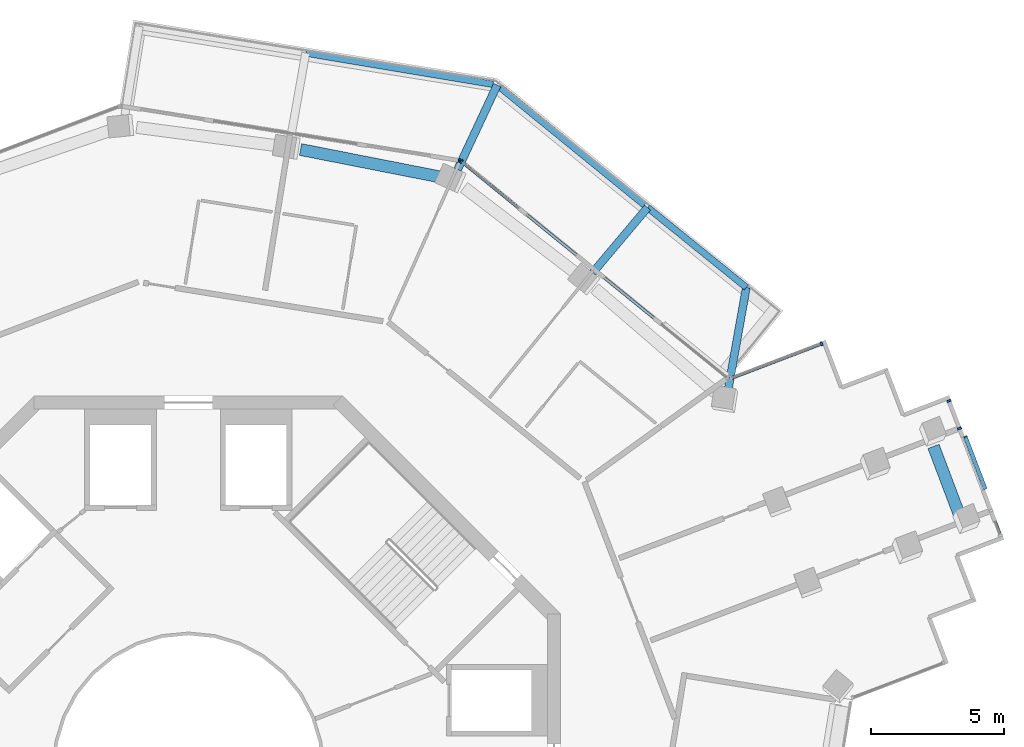
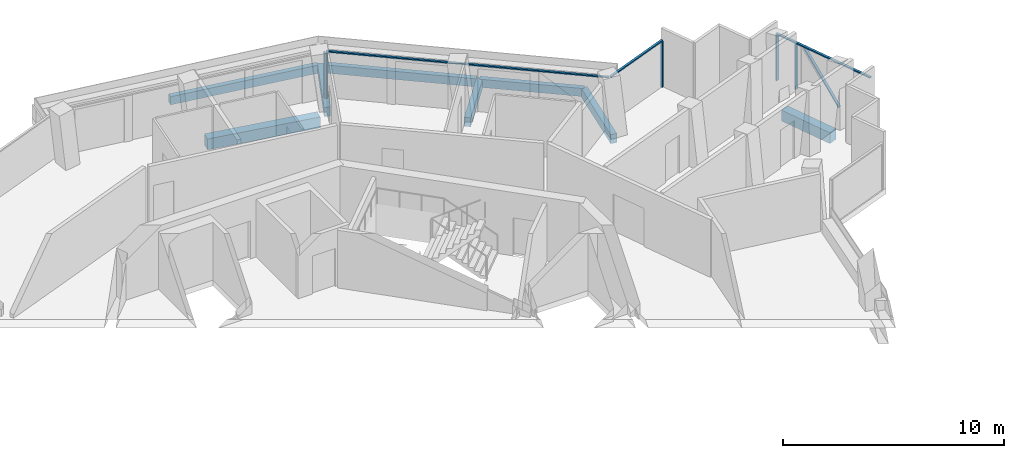
# One storey, part 9 of 23: 9 members, 8 beams, 4 elements without a shape of their own.
"""IFC4 building model written with IfcOpenShell, lengths in metres."""

from ifc_helpers import new_model, si_unit, direction, frame, origin, origin_2d, place, context, subcontext, project, spatial, rectangle, extrude, material, layer, layer_set, material_profile, profile_set, type_object, element, aggregate, save


model = new_model("IFC4")

# Units and contexts
model_context = context("Model", 3, precision=1e-05, world=origin(), true_north=direction((0.0, 1.0)))
body_context = subcontext(model_context, "Body", "Model", "MODEL_VIEW")
ifc_project = project(units=[si_unit("LENGTHUNIT", "METRE"), si_unit("AREAUNIT", "SQUARE_METRE"), si_unit("VOLUMEUNIT", "CUBIC_METRE"), si_unit("PLANEANGLEUNIT", "RADIAN"), si_unit("MASSUNIT", "GRAM", prefix="KILO")], contexts=[model_context])

# Site, building, storey
site_placement = place(None, origin())
site = spatial("IfcSite", under=ifc_project, at=site_placement, CompositionType="ELEMENT")
building_placement = place(site_placement, origin())
building = spatial("IfcBuilding", under=site, at=building_placement, Name="Verdalira Terraces Hotel", CompositionType="ELEMENT")
storey_placement = place(building_placement, frame((0.0, 0.0, 241.0)))
storey = spatial("IfcBuildingStorey", under=building, at=storey_placement, Name="L59", CompositionType="ELEMENT", Elevation=241.0)

# Beams
ifc_material_1 = material(Name="Concrete C40", Category="concrete")
ifc_material_profile_1 = material_profile(ifc_material_1, rectangle(XDim=0.300049, YDim=0.5, at=origin_2d()), Name="RC 300X500")
ifc_profile_set_1 = profile_set([ifc_material_profile_1], Name="Concrete C40")
beam_type_1 = type_object("IfcBeamType", Name="Balcony cantilever beam RC 300X500 C40", PredefinedType="BEAM", material=ifc_profile_set_1)
beam_1_placement = place(storey_placement, frame((20.296143, 14.193604, -0.560059), z_axis=(0.17498407, 0.984571265, 0.0), x_axis=(-0.984571265, 0.17498407, 0.0)))
element("IfcBeam", 1, at=beam_1_placement, inside=storey, type_object=beam_type_1, Name="Balcony cantilever beam R39-1", PredefinedType="BEAM", context=body_context, shape_type="SweptSolid", body=[
    extrude(rectangle(XDim=0.300049, YDim=0.5, at=origin_2d()), origin(), (0.0, 0.0, 1.0), 3.949951),
])
beam_2_placement = place(storey_placement, frame((15.21167, 18.638428, -0.560059), z_axis=(0.643905535, 0.765105001, 0.0), x_axis=(-0.765105001, 0.643905535, 0.0)))
element("IfcBeam", 2, at=beam_2_placement, inside=storey, type_object=beam_type_1, Name="Balcony cantilever beam R39-2", PredefinedType="BEAM", context=body_context, shape_type="SweptSolid", body=[
    extrude(rectangle(XDim=0.300049, YDim=0.5, at=origin_2d()), origin(), (0.0, 0.0, 1.0), 3.200928),
])
beam_3_placement = place(storey_placement, frame((10.126709, 22.512695, -0.560059), z_axis=(0.423885539, 0.905715766, 0.0), x_axis=(-0.905715766, 0.423885539, 0.0)))
element("IfcBeam", 3, at=beam_3_placement, inside=storey, type_object=beam_type_1, Name="Balcony cantilever beam R39-3", PredefinedType="BEAM", context=body_context, shape_type="SweptSolid", body=[
    extrude(rectangle(XDim=0.300049, YDim=0.5, at=origin_2d()), origin(), (0.0, 0.0, 1.0), 3.513916),
])
ifc_material_2 = material(Name="Concrete C40", Category="concrete")
ifc_material_profile_2 = material_profile(ifc_material_2, rectangle(XDim=0.25, YDim=0.449951, at=origin_2d()), Name="RC 250X450")
ifc_profile_set_2 = profile_set([ifc_material_profile_2], Name="Concrete C40")
beam_type_2 = type_object("IfcBeamType", Name="Balcony edge beam RC 250X450 C40", PredefinedType="BEAM", material=ifc_profile_set_2)
beam_4_placement = place(storey_placement, frame((20.987305, 18.08252, -0.534912), z_axis=(-0.777467347, 0.628923306, 0.0), x_axis=(-0.628923306, -0.777467347, 0.0)))
element("IfcBeam", 4, at=beam_4_placement, inside=storey, type_object=beam_type_2, Name="Balcony edge beam R39-1", PredefinedType="BEAM", context=body_context, shape_type="SweptSolid", body=[
    extrude(rectangle(XDim=0.25, YDim=0.449951, at=origin_2d()), origin(), (0.0, 0.0, 1.0), 4.777832),
])
beam_5_placement = place(storey_placement, frame((17.15625, 21.182373, -0.534912), z_axis=(-0.775315419, 0.631574224, 0.0), x_axis=(-0.631574224, -0.775315419, 0.0)))
element("IfcBeam", 5, at=beam_5_placement, inside=storey, type_object=beam_type_2, Name="Balcony edge beam R39-2", PredefinedType="BEAM", context=body_context, shape_type="SweptSolid", body=[
    extrude(rectangle(XDim=0.25, YDim=0.449951, at=origin_2d()), origin(), (0.0, 0.0, 1.0), 6.990967),
])
beam_6_placement = place(storey_placement, frame((11.462646, 25.720947, -0.534912), z_axis=(-0.986323654, 0.164820054, 0.0), x_axis=(-0.164820054, -0.986323654, 0.0)))
element("IfcBeam", 6, at=beam_6_placement, inside=storey, type_object=beam_type_2, Name="Balcony edge beam R39-3", PredefinedType="BEAM", context=body_context, shape_type="SweptSolid", body=[
    extrude(rectangle(XDim=0.25, YDim=0.449951, at=origin_2d()), origin(), (0.0, 0.0, 1.0), 7.145508),
])

# Curtain wall, member
ifc_material_3 = material(Name="Clear glass", Category="glass")
ifc_layer_1 = layer(ifc_material_3, 0.14990234375)
ifc_layer_set_1 = layer_set([ifc_layer_1], Name="CW1 curtain wall")
curtain_wall_type_1 = type_object("IfcCurtainWallType", Name="CW1 curtain wall", PredefinedType="NOTDEFINED", material=ifc_layer_set_1)
curtain_wall_1_placement = place(storey_placement, origin())
curtain_wall_1 = element("IfcCurtainWall", 7, at=curtain_wall_1_placement, inside=storey, type_object=curtain_wall_type_1, Name="CW1 curtain wall L59 edge 39", PredefinedType="NOTDEFINED")
ifc_material_4 = material(Name="Terracotta frame", Category="masonry")
ifc_material_profile_3 = material_profile(ifc_material_4, rectangle(XDim=0.060059, YDim=0.149902, at=origin_2d()), Name="MU 60x150")
ifc_profile_set_3 = profile_set([ifc_material_profile_3], Name="Terracotta frame")
member_type_1 = type_object("IfcMemberType", Name="CW1 mullion 60x150", PredefinedType="MULLION", material=ifc_profile_set_3)
member_1_placement = place(storey_placement, frame((10.27002, 22.818848, 0.0), z_axis=(0.0, 0.0, 1.0), x_axis=(-0.775826212, 0.63094666, 0.0)))
member_1 = element("IfcMember", 8, at=member_1_placement, type_object=member_type_1, Name="CW1 mullion", PredefinedType="MULLION", context=body_context, shape_type="SweptSolid", body=[
    extrude(rectangle(XDim=0.060059, YDim=0.149902, at=origin_2d()), origin(), (0.0, 0.0, 1.0), 2.524902),
])

curtain_wall_2_placement = place(storey_placement, origin())
curtain_wall_2 = element("IfcCurtainWall", 9, at=curtain_wall_2_placement, inside=storey, type_object=curtain_wall_type_1, Name="CW1 curtain wall L59 edge 40", PredefinedType="NOTDEFINED")
member_2_placement = place(storey_placement, frame((10.181641, 22.858398, 0.0), z_axis=(0.0, 0.0, 1.0), x_axis=(-0.987358539, 0.15850273, 0.0)))
member_2 = element("IfcMember", 10, at=member_2_placement, type_object=member_type_1, Name="CW1 mullion", PredefinedType="MULLION", context=body_context, shape_type="SweptSolid", body=[
    extrude(rectangle(XDim=0.060059, YDim=0.149902, at=origin_2d()), origin(), (0.0, 0.0, 1.0), 2.524902),
])
aggregate(curtain_wall_2, [member_2])

# Member
ifc_material_5 = material(Name="Terracotta frame", Category="masonry")
ifc_material_profile_4 = material_profile(ifc_material_5, rectangle(XDim=0.110107, YDim=0.064941, at=origin_2d()), Name="TR 65x110")
ifc_profile_set_4 = profile_set([ifc_material_profile_4], Name="Terracotta frame")
member_type_2 = type_object("IfcMemberType", Name="CW1 transom 65x110", PredefinedType="USERDEFINED", material=ifc_profile_set_4)
member_3_placement = place(storey_placement, frame((20.30127, 14.660889, 2.557617), z_axis=(-0.775828113, 0.630944323, 0.0), x_axis=(-0.630944323, -0.775828113, 0.0)))
member_3 = element("IfcMember", 11, at=member_3_placement, type_object=member_type_2, Name="CW1 transom", ObjectType="TRANSOM", PredefinedType="USERDEFINED", context=body_context, shape_type="SweptSolid", body=[
    extrude(rectangle(XDim=0.110107, YDim=0.064941, at=origin_2d()), origin(), (0.0, 0.0, 1.0), 12.959961),
])

aggregate(curtain_wall_1, [member_1, member_3])

# Curtain wall, members
ifc_material_6 = material(Name="Clear glass", Category="glass")
ifc_layer_2 = layer(ifc_material_6, 0.14990234375)
ifc_layer_set_2 = layer_set([ifc_layer_2], Name="CW2 curtain wall")
curtain_wall_type_2 = type_object("IfcCurtainWallType", Name="CW2 curtain wall", PredefinedType="NOTDEFINED", material=ifc_layer_set_2)
curtain_wall_3_placement = place(storey_placement, origin())
curtain_wall_3 = element("IfcCurtainWall", 12, at=curtain_wall_3_placement, inside=storey, type_object=curtain_wall_type_2, Name="CW2 curtain wall L59 edge 38", PredefinedType="NOTDEFINED")
ifc_material_7 = material(Name="Terracotta frame", Category="masonry")
ifc_material_profile_5 = material_profile(ifc_material_7, rectangle(XDim=0.070068, YDim=0.149902, at=origin_2d()), Name="MU 70x150")
ifc_profile_set_5 = profile_set([ifc_material_profile_5], Name="Terracotta frame")
member_type_3 = type_object("IfcMemberType", Name="CW2 mullion 70x150", PredefinedType="MULLION", material=ifc_profile_set_5)
member_4_placement = place(storey_placement, frame((23.820557, 15.963379, 0.0), z_axis=(0.0, 0.0, 1.0), x_axis=(-0.934328942, -0.356411879, 0.0)))
member_4 = element("IfcMember", 13, at=member_4_placement, type_object=member_type_3, Name="CW2 mullion", PredefinedType="MULLION", context=body_context, shape_type="SweptSolid", body=[
    extrude(rectangle(XDim=0.070068, YDim=0.149902, at=origin_2d()), origin(), (0.0, 0.0, 1.0), 2.524902),
])
ifc_material_8 = material(Name="Terracotta frame", Category="masonry")
ifc_material_profile_6 = material_profile(ifc_material_8, rectangle(XDim=0.11499, YDim=0.064941, at=origin_2d()), Name="TR 65x115")
ifc_profile_set_6 = profile_set([ifc_material_profile_6], Name="Terracotta frame")
member_type_4 = type_object("IfcMemberType", Name="CW2 transom 65x115", PredefinedType="USERDEFINED", material=ifc_profile_set_6)
member_5_placement = place(storey_placement, frame((23.853271, 15.97583, 2.557617), z_axis=(-0.934314118, -0.356450739, 0.0), x_axis=(0.356450739, -0.934314118, 0.0)))
member_5 = element("IfcMember", 14, at=member_5_placement, type_object=member_type_4, Name="CW2 transom", ObjectType="TRANSOM", PredefinedType="USERDEFINED", context=body_context, shape_type="SweptSolid", body=[
    extrude(rectangle(XDim=0.11499, YDim=0.064941, at=origin_2d()), origin(), (0.0, 0.0, 1.0), 3.722656),
])
aggregate(curtain_wall_3, [member_4, member_5])

ifc_material_9 = material(Name="Clear glass", Category="glass")
ifc_layer_3 = layer(ifc_material_9, 0.14990234375)
ifc_layer_set_3 = layer_set([ifc_layer_3], Name="CW3 curtain wall")
curtain_wall_type_3 = type_object("IfcCurtainWallType", Name="CW3 curtain wall", PredefinedType="NOTDEFINED", material=ifc_layer_set_3)
curtain_wall_4_placement = place(storey_placement, origin())
curtain_wall_4 = element("IfcCurtainWall", 15, at=curtain_wall_4_placement, inside=storey, type_object=curtain_wall_type_3, Name="CW3 curtain wall L59 edge 33", PredefinedType="NOTDEFINED")
ifc_material_10 = material(Name="Terracotta frame", Category="masonry")
ifc_material_profile_7 = material_profile(ifc_material_10, rectangle(XDim=0.080078, YDim=0.149902, at=origin_2d()), Name="MU 80x150")
ifc_profile_set_7 = profile_set([ifc_material_profile_7], Name="Terracotta frame")
member_type_5 = type_object("IfcMemberType", Name="CW3 mullion 80x150", PredefinedType="MULLION", material=ifc_profile_set_7)
member_6_placement = place(storey_placement, frame((29.005859, 12.779297, 0.0), z_axis=(0.0, 0.0, 1.0), x_axis=(-0.356411879, 0.934328942, 0.0)))
member_6 = element("IfcMember", 16, at=member_6_placement, type_object=member_type_5, Name="CW3 mullion", PredefinedType="MULLION", context=body_context, shape_type="SweptSolid", body=[
    extrude(rectangle(XDim=0.080078, YDim=0.149902, at=origin_2d()), origin(), (0.0, 0.0, 1.0), 2.524902),
])
member_7_placement = place(storey_placement, frame((28.611084, 13.814453, 0.0), z_axis=(0.0, 0.0, 1.0), x_axis=(-0.356411879, 0.934328942, 0.0)))
member_7 = element("IfcMember", 17, at=member_7_placement, type_object=member_type_5, Name="CW3 mullion", PredefinedType="MULLION", context=body_context, shape_type="SweptSolid", body=[
    extrude(rectangle(XDim=0.080078, YDim=0.149902, at=origin_2d()), origin(), (0.0, 0.0, 1.0), 2.524902),
])
ifc_material_11 = material(Name="Terracotta frame", Category="masonry")
ifc_material_profile_8 = material_profile(ifc_material_11, rectangle(XDim=0.120117, YDim=0.064941, at=origin_2d()), Name="TR 65x120")
ifc_profile_set_8 = profile_set([ifc_material_profile_8], Name="Terracotta frame")
member_type_6 = type_object("IfcMemberType", Name="CW3 transom 65x120", PredefinedType="USERDEFINED", material=ifc_profile_set_8)
member_8_placement = place(storey_placement, frame((30.557129, 8.713135, 2.557617), z_axis=(-0.356410628, 0.934329419, 0.0), x_axis=(-0.934329419, -0.356410628, 0.0)))
member_8 = element("IfcMember", 18, at=member_8_placement, type_object=member_type_6, Name="CW3 transom", ObjectType="TRANSOM", PredefinedType="USERDEFINED", context=body_context, shape_type="SweptSolid", body=[
    extrude(rectangle(XDim=0.120117, YDim=0.064941, at=origin_2d()), origin(), (0.0, 0.0, 1.0), 5.499756),
])
ifc_material_12 = material(Name="Terracotta frame", Category="masonry")
ifc_material_profile_9 = material_profile(ifc_material_12, rectangle(XDim=0.149902, YDim=0.060059, at=origin_2d()), Name="GB 60x150")
ifc_profile_set_9 = profile_set([ifc_material_profile_9], Name="Terracotta frame")
member_type_7 = type_object("IfcMemberType", Name="Diagonal glazing bar 60x150", PredefinedType="USERDEFINED", material=ifc_profile_set_9)
member_9_placement = place(storey_placement, frame((29.970459, 10.511963, 0.02832), z_axis=(-0.230843682, 0.605107385, 0.761942417), x_axis=(-0.934319877, -0.356435644, 0.0)))
member_9 = element("IfcMember", 19, at=member_9_placement, type_object=member_type_7, Name="Diagonal glazing bar", ObjectType="GLAZING BAR", PredefinedType="USERDEFINED", context=body_context, shape_type="SweptSolid", body=[
    extrude(rectangle(XDim=0.149902, YDim=0.060059, at=origin_2d()), origin(), (0.0, 0.0, 1.0), 3.239502),
])
aggregate(curtain_wall_4, [member_6, member_7, member_8, member_9])

# Beams
ifc_material_13 = material(Name="Concrete C40", Category="concrete")
ifc_material_profile_10 = material_profile(ifc_material_13, rectangle(XDim=0.449951, YDim=0.600098, at=origin_2d()), Name="RC 450X600")
ifc_profile_set_10 = profile_set([ifc_material_profile_10], Name="Concrete C40")
beam_type_3 = type_object("IfcBeamType", Name="Spandrel beam RC 450X600 C40", PredefinedType="SPANDREL", material=ifc_profile_set_10)
beam_7_placement = place(storey_placement, frame((29.022217, 9.4729, -0.610107), z_axis=(-0.353635369, 0.935383358, 0.0), x_axis=(-0.935383358, -0.353635369, 0.0)))
element("IfcBeam", 20, at=beam_7_placement, inside=storey, type_object=beam_type_3, Name="Spandrel beam B17", PredefinedType="SPANDREL", context=body_context, shape_type="SweptSolid", body=[
    extrude(rectangle(XDim=0.449951, YDim=0.600098, at=origin_2d()), origin(), (0.0, 0.0, 1.0), 2.810547),
])
beam_8_placement = place(storey_placement, frame((9.513184, 22.229492, -0.610107), z_axis=(-0.981263638, 0.192669855, 0.0), x_axis=(-0.192669855, -0.981263638, 0.0)))
element("IfcBeam", 21, at=beam_8_placement, inside=storey, type_object=beam_type_3, Name="Spandrel beam B20", PredefinedType="SPANDREL", context=body_context, shape_type="SweptSolid", body=[
    extrude(rectangle(XDim=0.449951, YDim=0.600098, at=origin_2d()), origin(), (0.0, 0.0, 1.0), 5.396729),
])

save(model, "model.ifc")
